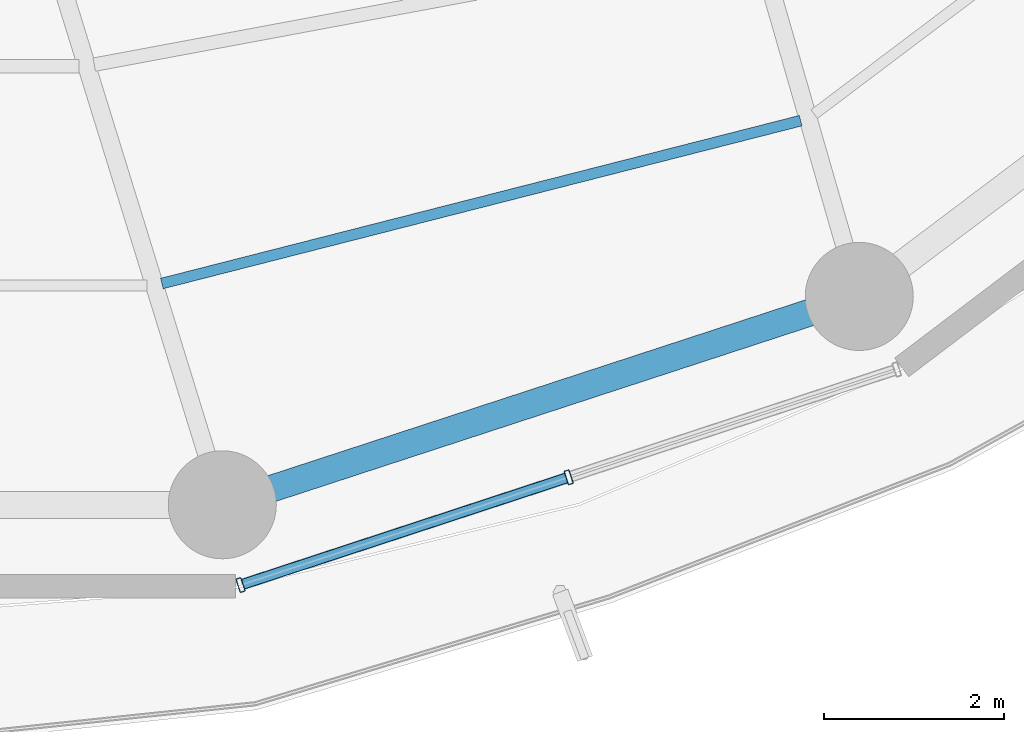
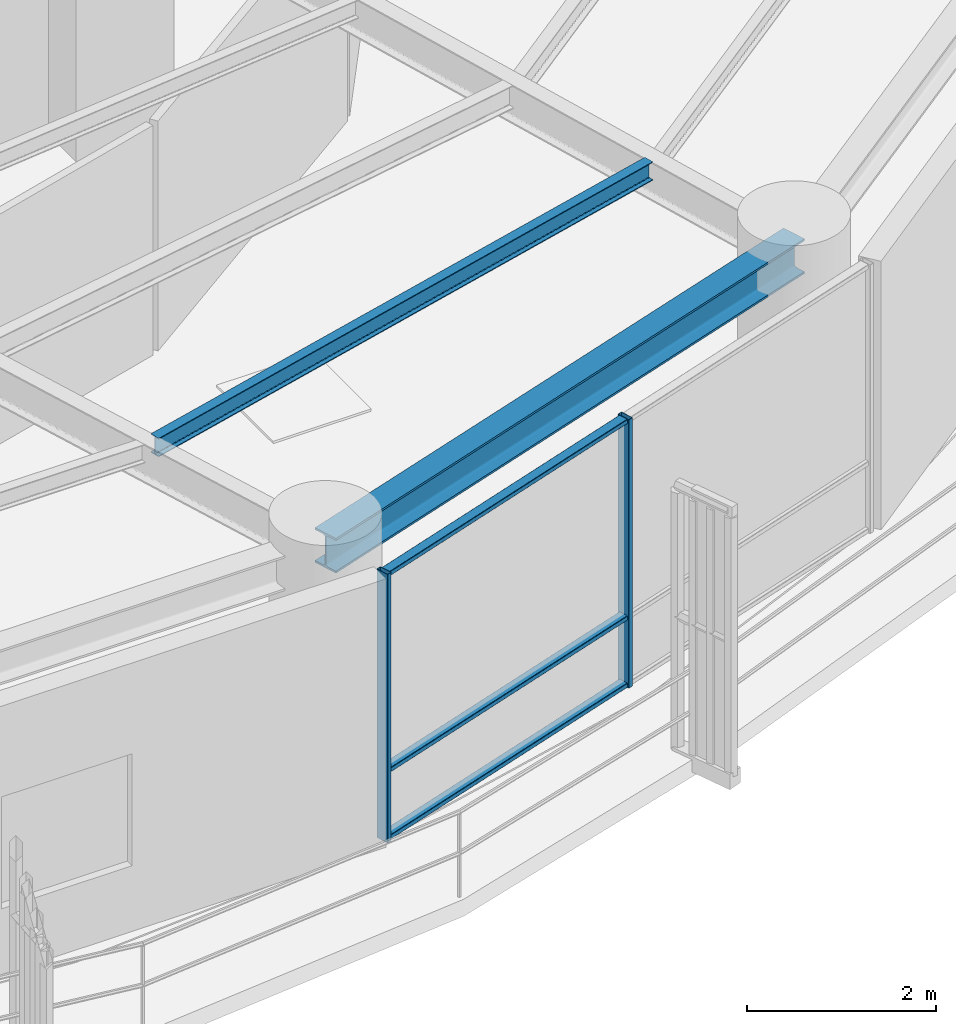
# One storey, part 4 of 28: 5 members, 2 beams, 1 element without a shape of its own.
"""IFC4 building model written with IfcOpenShell, lengths in metres."""

from ifc_helpers import new_model, si_unit, direction, frame, origin, origin_2d, place, context, subcontext, project, spatial, hollow_rectangle, i_section, extrude, material, layer, layer_set, material_profile, profile_set, type_object, element, aggregate, save


model = new_model("IFC4")

# Units and contexts
model_context = context("Model", 3, precision=1e-05, world=origin(), true_north=direction((0.0, 1.0)))
body_context = subcontext(model_context, "Body", "Model", "MODEL_VIEW")
ifc_project = project(units=[si_unit("LENGTHUNIT", "METRE"), si_unit("AREAUNIT", "SQUARE_METRE"), si_unit("VOLUMEUNIT", "CUBIC_METRE"), si_unit("PLANEANGLEUNIT", "RADIAN"), si_unit("MASSUNIT", "GRAM", prefix="KILO")], contexts=[model_context])

# Site, building, storey
site_placement = place(None, origin())
site = spatial("IfcSite", under=ifc_project, at=site_placement, CompositionType="ELEMENT")
building_placement = place(site_placement, origin())
building = spatial("IfcBuilding", under=site, at=building_placement, Name="Kelanora Arch Commons", CompositionType="ELEMENT")
storey_placement = place(building_placement, frame((0.0, 0.0, 180.60009765625)))
storey = spatial("IfcBuildingStorey", under=building, at=storey_placement, Name="L46", CompositionType="ELEMENT", Elevation=180.60009765625)

# Beams
ifc_material_1 = material(Name="Steel S355", Category="steel")
ifc_material_profile_1 = material_profile(ifc_material_1, i_section(OverallWidth=0.1201171875, OverallDepth=0.239990234375, WebThickness=0.006103515625, FlangeThickness=0.009765625, FilletRadius=0.014892578125, at=origin_2d()), Name="IPE240")
ifc_profile_set_1 = profile_set([ifc_material_profile_1], Name="Steel S355")
beam_type_1 = type_object("IfcBeamType", Name="BM-JST-02", PredefinedType="JOIST", material=ifc_profile_set_1)
beam_1_placement = place(storey_placement, frame((77.093994140625, 41.273681640625, 3.369873046875), z_axis=(0.96900232943, 0.247051584815, 0.0), x_axis=(-0.247051584815, 0.96900232943, 0.0)))
element("IfcBeam", 1, at=beam_1_placement, inside=storey, type_object=beam_type_1, Name="Secondary Chord Joist BJC-28 L46", PredefinedType="JOIST", context=body_context, shape_type="SweptSolid", body=[
    extrude(i_section(OverallWidth=0.1201171875, OverallDepth=0.239990234375, WebThickness=0.006103515625, FlangeThickness=0.009765625, FilletRadius=0.014892578125, at=origin_2d()), origin(), (0.0, 0.0, 1.0), 7.32275390625),
])
ifc_material_profile_2 = material_profile(ifc_material_1, i_section(OverallWidth=0.300048828125, OverallDepth=0.449951171875, WebThickness=0.013916015625, FlangeThickness=0.02587890625, FilletRadius=0.027099609375, at=origin_2d()), Name="HEB450")
ifc_profile_set_2 = profile_set([ifc_material_profile_2], Name="Steel S355")
beam_type_2 = type_object("IfcBeamType", Name="BM-SPN-Z3", PredefinedType="SPANDREL", material=ifc_profile_set_2)
beam_2_placement = place(storey_placement, frame((77.7646484375, 38.81591796875, 3.264892578125), z_axis=(0.950461975786, 0.310840847676, 0.0), x_axis=(-0.310840847676, 0.950461975786, 0.0)))
element("IfcBeam", 2, at=beam_2_placement, inside=storey, type_object=beam_type_2, Name="Perimeter Spandrel Beam BS-28 L46", PredefinedType="SPANDREL", context=body_context, shape_type="SweptSolid", body=[
    extrude(i_section(OverallWidth=0.300048828125, OverallDepth=0.449951171875, WebThickness=0.013916015625, FlangeThickness=0.02587890625, FilletRadius=0.027099609375, at=origin_2d()), origin(), (0.0, 0.0, 1.0), 7.444091796875),
])

# Curtain wall, members
ifc_material_2 = material(Name="Terracotta ceramic-fritted low-E glass and aluminium", Category="masonry")
ifc_layer = layer(ifc_material_2, 0.175048828125)
ifc_layer_set = layer_set([ifc_layer], Name="Terracotta ceramic-fritted low-E glass and aluminium")
curtain_wall_type = type_object("IfcCurtainWallType", Name="CW-SYS-02", PredefinedType="NOTDEFINED", material=ifc_layer_set)
curtain_wall_placement = place(storey_placement, origin())
curtain_wall = element("IfcCurtainWall", 3, at=curtain_wall_placement, inside=storey, type_object=curtain_wall_type, Name="Unitised Curtain Wall L46-B14", PredefinedType="NOTDEFINED")
ifc_material_3 = material(Name="Powder-coated aluminium terracotta", Category="masonry")
ifc_material_profile_3 = material_profile(ifc_material_3, hollow_rectangle(XDim=0.159912109375, YDim=0.06005859375, WallThickness=0.0048828125, InnerFilletRadius=0.0048828125, OuterFilletRadius=0.010009765625, at=origin_2d()), Name="CWM160x60")
ifc_profile_set_3 = profile_set([ifc_material_profile_3], Name="Powder-coated aluminium terracotta")
member_type_1 = type_object("IfcMemberType", Name="CWM-STD", PredefinedType="MULLION", material=ifc_profile_set_3)
member_1_placement = place(storey_placement, frame((77.96728515625, 37.924072265625, 0.0), z_axis=(0.0, 0.0, 1.0), x_axis=(-0.312128279571, 0.95003996605, 0.0)))
member_1 = element("IfcMember", 4, at=member_1_placement, type_object=member_type_1, Name="CW-02 mullion 1", PredefinedType="MULLION", context=body_context, shape_type="SweptSolid", body=[
    extrude(hollow_rectangle(XDim=0.159912109375, YDim=0.06005859375, WallThickness=0.0048828125, InnerFilletRadius=0.0048828125, OuterFilletRadius=0.010009765625, at=origin_2d()), origin(), (0.0, 0.0, 1.0), 3.474853515625),
])
member_2_placement = place(storey_placement, frame((81.6123046875, 39.12158203125, 0.0), z_axis=(0.0, 0.0, 1.0), x_axis=(-0.312128279571, 0.95003996605, 0.0)))
member_2 = element("IfcMember", 5, at=member_2_placement, type_object=member_type_1, Name="CW-02 mullion 2", PredefinedType="MULLION", context=body_context, shape_type="SweptSolid", body=[
    extrude(hollow_rectangle(XDim=0.159912109375, YDim=0.06005859375, WallThickness=0.0048828125, InnerFilletRadius=0.0048828125, OuterFilletRadius=0.010009765625, at=origin_2d()), origin(), (0.0, 0.0, 1.0), 3.474853515625),
])
ifc_material_profile_4 = material_profile(ifc_material_3, hollow_rectangle(XDim=0.1201171875, YDim=0.06005859375, WallThickness=0.0048828125, InnerFilletRadius=0.0048828125, OuterFilletRadius=0.010009765625, at=origin_2d()), Name="CWT120x60")
ifc_profile_set_4 = profile_set([ifc_material_profile_4], Name="Powder-coated aluminium terracotta")
member_type_2 = type_object("IfcMemberType", Name="CWT-STD", PredefinedType="USERDEFINED", material=ifc_profile_set_4)
member_3_placement = place(storey_placement, frame((77.99560546875, 37.933349609375, 0.02978515625), z_axis=(0.950051191155, 0.312094111104, 0.0), x_axis=(-0.312094111104, 0.950051191155, 0.0)))
member_3 = element("IfcMember", 6, at=member_3_placement, type_object=member_type_2, Name="CW-02 transom 1.1", ObjectType="TRANSOM", PredefinedType="USERDEFINED", context=body_context, shape_type="SweptSolid", body=[
    extrude(hollow_rectangle(XDim=0.1201171875, YDim=0.06005859375, WallThickness=0.0048828125, InnerFilletRadius=0.0048828125, OuterFilletRadius=0.010009765625, at=origin_2d()), origin(), (0.0, 0.0, 1.0), 3.77685546875),
])
member_4_placement = place(storey_placement, frame((77.99560546875, 37.933349609375, 0.89990234375), z_axis=(0.950051191155, 0.312094111104, 0.0), x_axis=(-0.312094111104, 0.950051191155, 0.0)))
member_4 = element("IfcMember", 7, at=member_4_placement, type_object=member_type_2, Name="CW-02 transom 1.2", ObjectType="TRANSOM", PredefinedType="USERDEFINED", context=body_context, shape_type="SweptSolid", body=[
    extrude(hollow_rectangle(XDim=0.1201171875, YDim=0.06005859375, WallThickness=0.0048828125, InnerFilletRadius=0.0048828125, OuterFilletRadius=0.010009765625, at=origin_2d()), origin(), (0.0, 0.0, 1.0), 3.77685546875),
])
member_5_placement = place(storey_placement, frame((77.99560546875, 37.933349609375, 3.44482421875), z_axis=(0.950051191155, 0.312094111104, 0.0), x_axis=(-0.312094111104, 0.950051191155, 0.0)))
member_5 = element("IfcMember", 8, at=member_5_placement, type_object=member_type_2, Name="CW-02 transom 1.3", ObjectType="TRANSOM", PredefinedType="USERDEFINED", context=body_context, shape_type="SweptSolid", body=[
    extrude(hollow_rectangle(XDim=0.1201171875, YDim=0.06005859375, WallThickness=0.0048828125, InnerFilletRadius=0.0048828125, OuterFilletRadius=0.010009765625, at=origin_2d()), origin(), (0.0, 0.0, 1.0), 3.77685546875),
])
aggregate(curtain_wall, [member_1, member_2, member_3, member_4, member_5])

save(model, "model.ifc")
